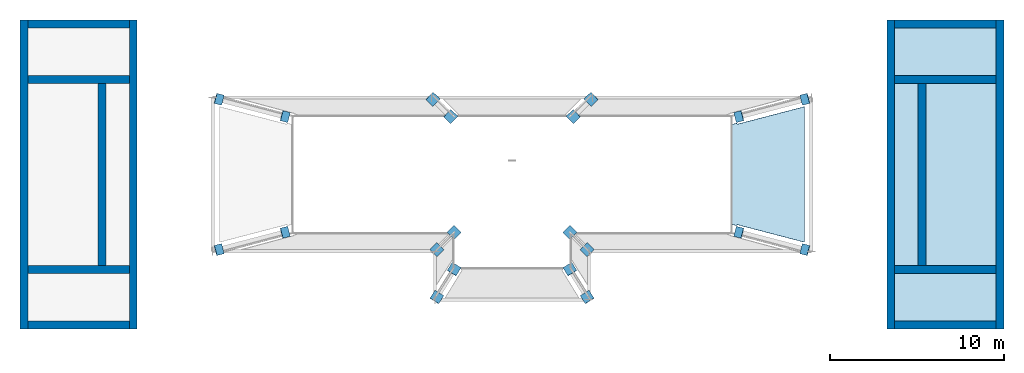
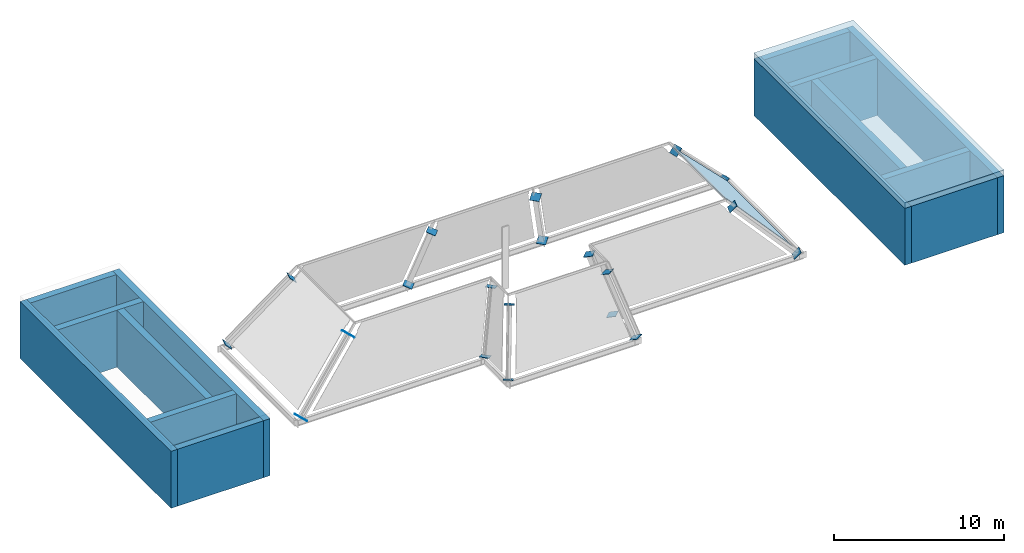
# One storey, part 2 of 4: 20 discrete accessories, 14 walls, 1 plate, 1 slab, 1 element without a shape of its own.
"""IFC4 building model written with IfcOpenShell, lengths in metres."""

from ifc_helpers import new_model, si_unit, direction, frame, frame_2d, origin, origin_2d, place, context, subcontext, project, spatial, polyline, rectangle, outline, extrude, material, layer, layer_set, material_profile, profile_set, type_object, element, aggregate, save


model = new_model("IFC4")

# Units and contexts
model_context = context("Model", 3, precision=1e-05, world=origin(), true_north=direction((0.0, 1.0)))
body_context = subcontext(model_context, "Body", "Model", "MODEL_VIEW")
ifc_project = project(units=[si_unit("LENGTHUNIT", "METRE"), si_unit("AREAUNIT", "SQUARE_METRE"), si_unit("VOLUMEUNIT", "CUBIC_METRE"), si_unit("PLANEANGLEUNIT", "RADIAN"), si_unit("MASSUNIT", "GRAM", prefix="KILO")], contexts=[model_context])

# Site, building, storey
site_placement = place(None, origin())
site = spatial("IfcSite", under=ifc_project, at=site_placement, CompositionType="ELEMENT")
building_placement = place(site_placement, origin())
building = spatial("IfcBuilding", under=site, at=building_placement, Name="Perihelion Cross Residences", CompositionType="ELEMENT")
storey_placement = place(building_placement, frame((0.0, 0.0, 307.800048828125)))
storey = spatial("IfcBuildingStorey", under=building, at=storey_placement, Name="L78", CompositionType="ELEMENT", Elevation=307.800048828125)

# Curtain wall, plate
ifc_material_1 = material(Name="Bronze anodised aluminium, tinted glazing", Category="aluminium")
curtain_wall_type = type_object("IfcCurtainWallType", Name="CW6", PredefinedType="NOTDEFINED", material=ifc_material_1)
curtain_wall_placement = place(storey_placement, origin())
curtain_wall = element("IfcCurtainWall", 1, at=curtain_wall_placement, inside=storey, type_object=curtain_wall_type, Name="Curtain wall CW6 L78 crown 1", PredefinedType="NOTDEFINED")
ifc_material_2 = material(Name="Tinted laminated glass", Category="glass")
ifc_layer_1 = layer(ifc_material_2, 0.033935546875)
ifc_layer_set_1 = layer_set([ifc_layer_1], Name="CW6 panel")
plate_type = type_object("IfcPlateType", Name="CW6 panel", PredefinedType="CURTAIN_PANEL", material=ifc_layer_set_1)
plate_placement = place(storey_placement, frame((12.6650390625, 2.880859375, 4.474365234375), z_axis=(0.729020595716, 0.0, 0.684491761106), x_axis=(0.674199584634, 0.172761032734, -0.718058873385)))
plate = element("IfcPlate", 2, at=plate_placement, type_object=plate_type, Name="Curtain wall panel CW6-P L78 crown 1", PredefinedType="CURTAIN_PANEL", context=body_context, shape_type="SweptSolid", body=[
    extrude(outline(polyline([(0.0, 0.0), (0.4310167023590624, 0.0), (0.4311556382332712, -0.06422208267244536), (6.187606862529101, -0.04697865552795044), (4.83883921000069, -7.736717765426109), (-0.568125218096178, -5.7614295062670156), (-0.5901123509811355, -5.8217707126973055), (-0.9954004815707835, -5.67508421394698), (0.0, 0.0)])), origin(), (0.0, 0.0, -1.0), 0.033935546875),
])
aggregate(curtain_wall, [plate])

# Slab
ifc_material_3 = material(Name="Concrete C50/60", Category="concrete")
ifc_layer_2 = layer(ifc_material_3, 0.39990234375)
ifc_layer_set_2 = layer_set([ifc_layer_2], Name="Stack roof slab 400")
slab_type = type_object("IfcSlabType", Name="Stack roof slab 400", PredefinedType="ROOF", material=ifc_layer_set_2)
slab_placement = place(storey_placement, frame((0.0, 0.0, 4.099853515625)))
element("IfcSlab", 3, at=slab_placement, inside=storey, type_object=slab_type, Name="East core stack roof, step 1", PredefinedType="ROOF", context=body_context, shape_type="SweptSolid", body=[
    extrude(outline(polyline([(21.60009765625, -8.89990234375), (28.35009765625, -8.89990234375), (28.35009765625, 8.89990234375), (21.60009765625, 8.89990234375), (21.60009765625, -8.89990234375)])), origin(), (0.0, 0.0, 1.0), 0.400146484375),
])

# Walls
ifc_material_4 = material(Name="Concrete C60/75", Category="concrete")
ifc_layer_3 = layer(ifc_material_4, 0.449951171875)
ifc_layer_set_3 = layer_set([ifc_layer_3], Name="Core wall, outer 450")
wall_type = type_object("IfcWallType", Name="Core wall, outer 450", PredefinedType="SHEAR", material=ifc_layer_set_3)
for number, where, z_axis, x_axis, name in (
    (4, (21.824951171875, -8.89990234375, 0.0), (0.0, 0.0, 1.0), (0.0, 1.0, 0.0), "East core stack wall, step 1"),
    (5, (28.125, -8.89990234375, 0.0), (0.0, 0.0, 1.0), (0.0, 1.0, 0.0), "East core stack wall, step 1"),
):
    element("IfcWall", number, at=place(storey_placement, frame(where, z_axis=z_axis, x_axis=x_axis)), inside=storey, type_object=wall_type, Name=name, PredefinedType="SHEAR", context=body_context, shape_type="SweptSolid", body=[
        extrude(rectangle(XDim=17.7998046875, YDim=0.449951171875, at=frame_2d((8.89990234375, 0.0))), origin(), (0.0, 0.0, 1.0), 4.099853515625),
    ])
for number, where, z_axis, x_axis, name in (
    (6, (22.050048828125, 8.675048828125, 0.0), (0.0, 0.0, 1.0), (1.0, 0.0, 0.0), "East core stack wall, step 1"),
    (7, (22.050048828125, -8.675048828125, 0.0), (0.0, 0.0, 1.0), (1.0, 0.0, 0.0), "East core stack wall, step 1"),
    (8, (22.050048828125, 5.47509765625, 0.0), (0.0, 0.0, 1.0), (1.0, 0.0, 0.0), "East core stack partition, step 1"),
    (9, (22.050048828125, -5.47509765625, 0.0), (0.0, 0.0, 1.0), (1.0, 0.0, 0.0), "East core stack partition, step 1"),
):
    element("IfcWall", number, at=place(storey_placement, frame(where, z_axis=z_axis, x_axis=x_axis)), inside=storey, type_object=wall_type, Name=name, PredefinedType="SHEAR", context=body_context, shape_type="SweptSolid", body=[
        extrude(rectangle(XDim=5.849853515625, YDim=0.449951171875, at=frame_2d((2.9248046875, 0.0))), origin(), (0.0, 0.0, 1.0), 4.099853515625),
    ])
wall_1_placement = place(storey_placement, frame((23.625, -5.25, 0.0), z_axis=(0.0, 0.0, 1.0), x_axis=(0.0, 1.0, 0.0)))
element("IfcWall", 10, at=wall_1_placement, inside=storey, type_object=wall_type, Name="East core stack partition, step 1", PredefinedType="SHEAR", context=body_context, shape_type="SweptSolid", body=[
    extrude(rectangle(XDim=10.5, YDim=0.449951171875, at=frame_2d((5.25, 0.0))), origin(), (0.0, 0.0, 1.0), 4.099853515625),
])
for number, where, z_axis, x_axis, name in (
    (11, (-21.824951171875, -8.89990234375, 0.0), (0.0, 0.0, 1.0), (0.0, 1.0, 0.0), "West core stack wall, step 1"),
    (12, (-28.125, -8.89990234375, 0.0), (0.0, 0.0, 1.0), (0.0, 1.0, 0.0), "West core stack wall, step 1"),
):
    element("IfcWall", number, at=place(storey_placement, frame(where, z_axis=z_axis, x_axis=x_axis)), inside=storey, type_object=wall_type, Name=name, PredefinedType="SHEAR", context=body_context, shape_type="SweptSolid", body=[
        extrude(rectangle(XDim=17.7998046875, YDim=0.449951171875, at=frame_2d((8.89990234375, 0.0))), origin(), (0.0, 0.0, 1.0), 4.099853515625),
    ])
for number, where, z_axis, x_axis, name in (
    (13, (-22.050048828125, 8.675048828125, 0.0), (0.0, 0.0, 1.0), (-1.0, 0.0, 0.0), "West core stack wall, step 1"),
    (14, (-22.050048828125, -8.675048828125, 0.0), (0.0, 0.0, 1.0), (-1.0, 0.0, 0.0), "West core stack wall, step 1"),
    (15, (-22.050048828125, 5.47509765625, 0.0), (0.0, 0.0, 1.0), (-1.0, 0.0, 0.0), "West core stack partition, step 1"),
    (16, (-22.050048828125, -5.47509765625, 0.0), (0.0, 0.0, 1.0), (-1.0, 0.0, 0.0), "West core stack partition, step 1"),
):
    element("IfcWall", number, at=place(storey_placement, frame(where, z_axis=z_axis, x_axis=x_axis)), inside=storey, type_object=wall_type, Name=name, PredefinedType="SHEAR", context=body_context, shape_type="SweptSolid", body=[
        extrude(rectangle(XDim=5.849853515625, YDim=0.449951171875, at=frame_2d((2.9248046875, 0.0))), origin(), (0.0, 0.0, 1.0), 4.099853515625),
    ])
wall_2_placement = place(storey_placement, frame((-23.625, -5.25, 0.0), z_axis=(0.0, 0.0, 1.0), x_axis=(0.0, 1.0, 0.0)))
element("IfcWall", 17, at=wall_2_placement, inside=storey, type_object=wall_type, Name="West core stack partition, step 1", PredefinedType="SHEAR", context=body_context, shape_type="SweptSolid", body=[
    extrude(rectangle(XDim=10.5, YDim=0.449951171875, at=frame_2d((5.25, 0.0))), origin(), (0.0, 0.0, 1.0), 4.099853515625),
])

# Discrete accessories
ifc_material_5 = material(Name="Structural steel S355 plate", Category="steel")
ifc_material_profile = material_profile(ifc_material_5, rectangle(XDim=0.60009765625, YDim=0.60009765625, at=origin_2d()), Name="Crown gusset plate")
ifc_profile_set = profile_set([ifc_material_profile], Name="Structural steel S355 plate")
discrete_accessory_type = type_object("IfcDiscreteAccessoryType", Name="Crown gusset plate", PredefinedType="BRACKET", material=ifc_profile_set)
discrete_accessory_1_placement = place(storey_placement, frame((16.885986328125, -4.33349609375, -0.2607421875), z_axis=(-0.675064524465, 0.178932765521, 0.715731062084), x_axis=(-0.256212647339, -0.966620442233, 0.0)))
element("IfcDiscreteAccessory", 18, at=discrete_accessory_1_placement, inside=storey, type_object=discrete_accessory_type, Name="Crown gusset plate", PredefinedType="BRACKET", context=body_context, shape_type="SweptSolid", body=[
    extrude(rectangle(XDim=0.60009765625, YDim=0.60009765625, at=origin_2d()), origin(), (0.0, 0.0, 1.0), 0.030029296875),
])
discrete_accessory_2_placement = place(storey_placement, frame((13.0791015625, -3.337158203125, 3.822265625), z_axis=(-0.670601017735, 0.179917346221, 0.719669384886), x_axis=(-0.259128566087, -0.965842837235, 0.0)))
element("IfcDiscreteAccessory", 19, at=discrete_accessory_2_placement, inside=storey, type_object=discrete_accessory_type, Name="Crown gusset plate", PredefinedType="BRACKET", context=body_context, shape_type="SweptSolid", body=[
    extrude(rectangle(XDim=0.60009765625, YDim=0.60009765625, at=origin_2d()), origin(), (0.0, 0.0, 1.0), 0.02978515625),
])
discrete_accessory_3_placement = place(storey_placement, frame((16.885986328125, 4.33349609375, -0.2607421875), z_axis=(-0.675064524465, -0.178932765521, 0.715731062084), x_axis=(0.256212647339, -0.966620442233, 0.0)))
element("IfcDiscreteAccessory", 20, at=discrete_accessory_3_placement, inside=storey, type_object=discrete_accessory_type, Name="Crown gusset plate", PredefinedType="BRACKET", context=body_context, shape_type="SweptSolid", body=[
    extrude(rectangle(XDim=0.60009765625, YDim=0.60009765625, at=origin_2d()), origin(), (0.0, 0.0, 1.0), 0.030029296875),
])
discrete_accessory_4_placement = place(storey_placement, frame((13.0791015625, 3.337158203125, 3.822265625), z_axis=(-0.670601017735, -0.179917346221, 0.719669384886), x_axis=(0.259128566087, -0.965842837235, 0.0)))
element("IfcDiscreteAccessory", 21, at=discrete_accessory_4_placement, inside=storey, type_object=discrete_accessory_type, Name="Crown gusset plate", PredefinedType="BRACKET", context=body_context, shape_type="SweptSolid", body=[
    extrude(rectangle(XDim=0.60009765625, YDim=0.60009765625, at=origin_2d()), origin(), (0.0, 0.0, 1.0), 0.02978515625),
])
for number, where, z_axis, x_axis, name in (
    (22, (4.55615234375, 4.334228515625, -0.26416015625), (-0.236147269283, -0.228004259997, 0.94458907713), (0.6945945137, -0.719401460617, 0.0), "Crown gusset plate"),
    (23, (3.5361328125, 3.337890625, 3.81884765625), (-0.236147269283, -0.228004259997, 0.94458907713), (0.6945945137, -0.719401460617, 0.0), "Crown gusset plate"),
    (24, (-4.55615234375, 4.334228515625, -0.26416015625), (0.236147269283, -0.228004259997, 0.94458907713), (0.6945945137, 0.719401460617, 0.0), "Crown gusset plate"),
    (25, (-3.5361328125, 3.337890625, 3.81884765625), (0.236147269283, -0.228004259997, 0.94458907713), (0.6945945137, 0.719401460617, 0.0), "Crown gusset plate"),
    (26, (-16.885986328125, 4.33349609375, -0.2607421875), (0.675064524465, -0.178932765521, 0.715731062084), (0.256212647339, 0.966620442233, 0.0), "Crown gusset plate"),
):
    element("IfcDiscreteAccessory", number, at=place(storey_placement, frame(where, z_axis=z_axis, x_axis=x_axis)), inside=storey, type_object=discrete_accessory_type, Name=name, PredefinedType="BRACKET", context=body_context, shape_type="SweptSolid", body=[
        extrude(rectangle(XDim=0.60009765625, YDim=0.60009765625, at=origin_2d()), origin(), (0.0, 0.0, 1.0), 0.030029296875),
    ])
discrete_accessory_5_placement = place(storey_placement, frame((-13.0791015625, 3.337158203125, 3.822265625), z_axis=(0.670601017735, -0.179917346221, 0.719669384886), x_axis=(0.259128566087, 0.965842837235, 0.0)))
element("IfcDiscreteAccessory", 27, at=discrete_accessory_5_placement, inside=storey, type_object=discrete_accessory_type, Name="Crown gusset plate", PredefinedType="BRACKET", context=body_context, shape_type="SweptSolid", body=[
    extrude(rectangle(XDim=0.60009765625, YDim=0.60009765625, at=origin_2d()), origin(), (0.0, 0.0, 1.0), 0.02978515625),
])
discrete_accessory_6_placement = place(storey_placement, frame((-16.885986328125, -4.33349609375, -0.2607421875), z_axis=(0.675064524465, 0.178932765521, 0.715731062084), x_axis=(-0.256212647339, 0.966620442233, 0.0)))
element("IfcDiscreteAccessory", 28, at=discrete_accessory_6_placement, inside=storey, type_object=discrete_accessory_type, Name="Crown gusset plate", PredefinedType="BRACKET", context=body_context, shape_type="SweptSolid", body=[
    extrude(rectangle(XDim=0.60009765625, YDim=0.60009765625, at=origin_2d()), origin(), (0.0, 0.0, 1.0), 0.030029296875),
])
discrete_accessory_7_placement = place(storey_placement, frame((-13.0791015625, -3.337158203125, 3.822265625), z_axis=(0.670601017735, 0.179917346221, 0.719669384886), x_axis=(-0.259128566087, 0.965842837235, 0.0)))
element("IfcDiscreteAccessory", 29, at=discrete_accessory_7_placement, inside=storey, type_object=discrete_accessory_type, Name="Crown gusset plate", PredefinedType="BRACKET", context=body_context, shape_type="SweptSolid", body=[
    extrude(rectangle(XDim=0.60009765625, YDim=0.60009765625, at=origin_2d()), origin(), (0.0, 0.0, 1.0), 0.02978515625),
])
for number, where, z_axis, x_axis, name in (
    (30, (-4.334228515625, -4.334228515625, -0.26416015625), (0.228436366608, 0.228436366608, 0.946379233089), (-0.707106781187, 0.707106781187, 0.0), "Crown gusset plate"),
    (31, (-3.337890625, -3.337890625, 3.81884765625), (0.228436366608, 0.228436366608, 0.946379233089), (-0.707106781187, 0.707106781187, 0.0), "Crown gusset plate"),
):
    element("IfcDiscreteAccessory", number, at=place(storey_placement, frame(where, z_axis=z_axis, x_axis=x_axis)), inside=storey, type_object=discrete_accessory_type, Name=name, PredefinedType="BRACKET", context=body_context, shape_type="SweptSolid", body=[
        extrude(rectangle(XDim=0.60009765625, YDim=0.60009765625, at=origin_2d()), origin(), (0.0, 0.0, 1.0), 0.030029296875),
    ])
discrete_accessory_8_placement = place(storey_placement, frame((-4.334228515625, -7.06787109375, -0.263671875), z_axis=(0.226633367883, 0.356138149531, 0.906533471533), x_axis=(-0.843661487732, 0.536875492193, 0.0)))
element("IfcDiscreteAccessory", 32, at=discrete_accessory_8_placement, inside=storey, type_object=discrete_accessory_type, Name="Crown gusset plate", PredefinedType="BRACKET", context=body_context, shape_type="SweptSolid", body=[
    extrude(rectangle(XDim=0.60009765625, YDim=0.60009765625, at=origin_2d()), origin(), (0.0, 0.0, 1.0), 0.0302734375),
])
discrete_accessory_9_placement = place(storey_placement, frame((-3.337890625, -5.45947265625, 3.8193359375), z_axis=(0.218934112098, 0.356781516012, 0.908171131666), x_axis=(-0.852322728649, 0.523016219853, 0.0)))
element("IfcDiscreteAccessory", 33, at=discrete_accessory_9_placement, inside=storey, type_object=discrete_accessory_type, Name="Crown gusset plate", PredefinedType="BRACKET", context=body_context, shape_type="SweptSolid", body=[
    extrude(rectangle(XDim=0.60009765625, YDim=0.60009765625, at=origin_2d()), origin(), (0.0, 0.0, 1.0), 0.030029296875),
])
discrete_accessory_10_placement = place(storey_placement, frame((4.334228515625, -7.06787109375, -0.263671875), z_axis=(-0.226633367883, 0.356138149531, 0.906533471533), x_axis=(-0.843661487732, -0.536875492193, 0.0)))
element("IfcDiscreteAccessory", 34, at=discrete_accessory_10_placement, inside=storey, type_object=discrete_accessory_type, Name="Crown gusset plate", PredefinedType="BRACKET", context=body_context, shape_type="SweptSolid", body=[
    extrude(rectangle(XDim=0.60009765625, YDim=0.60009765625, at=origin_2d()), origin(), (0.0, 0.0, 1.0), 0.0302734375),
])
for number, where, z_axis, x_axis, name in (
    (35, (3.337890625, -5.45947265625, 3.8193359375), (-0.218934112098, 0.356781516012, 0.908171131666), (-0.852322728649, -0.523016219853, 0.0), "Crown gusset plate"),
    (36, (4.334228515625, -4.334228515625, -0.26416015625), (-0.228436366608, 0.228436366608, 0.946379233089), (-0.707106781187, -0.707106781187, 0.0), "Crown gusset plate"),
    (37, (3.337890625, -3.337890625, 3.81884765625), (-0.228436366608, 0.228436366608, 0.946379233089), (-0.707106781187, -0.707106781187, 0.0), "Crown gusset plate"),
):
    element("IfcDiscreteAccessory", number, at=place(storey_placement, frame(where, z_axis=z_axis, x_axis=x_axis)), inside=storey, type_object=discrete_accessory_type, Name=name, PredefinedType="BRACKET", context=body_context, shape_type="SweptSolid", body=[
        extrude(rectangle(XDim=0.60009765625, YDim=0.60009765625, at=origin_2d()), origin(), (0.0, 0.0, 1.0), 0.030029296875),
    ])

save(model, "model.ifc")
